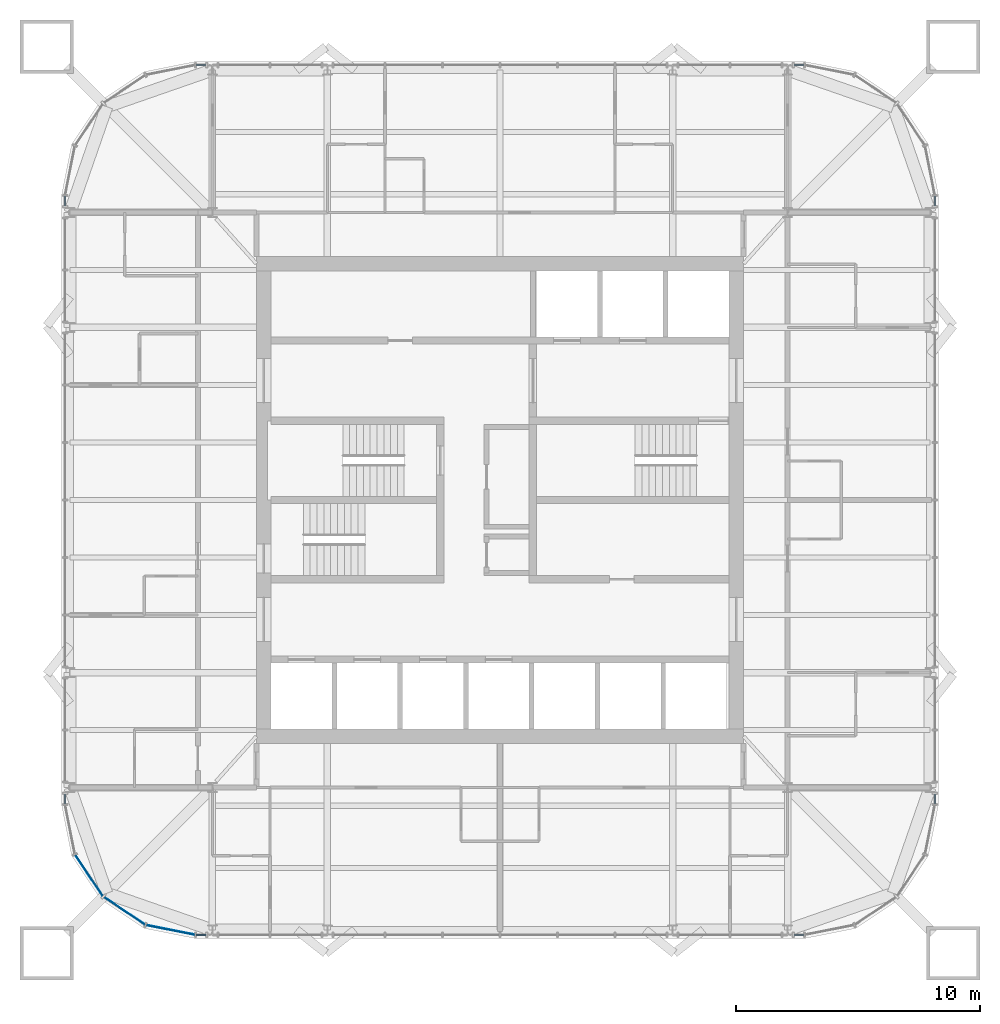
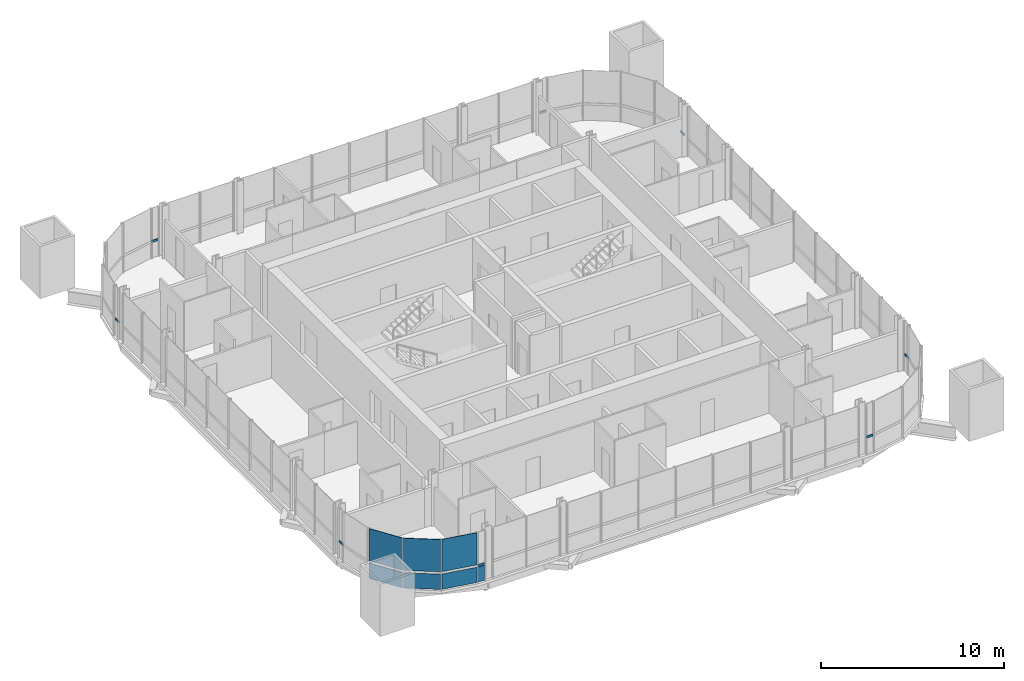
# One storey, part 7 of 17: 8 members, 7 plates, 9 elements without a shape of their own.
"""IFC4 building model written with IfcOpenShell, lengths in metres."""

import ifcopenshell
import ifcopenshell.guid

model = None  # the IFC model being written
_history = None  # IfcOwnerHistory: only IFC2X3 demands one
_inside = {}  # id of a spatial element -> (the spatial element, [elements in it])
_under = {}  # id of a project, library or spatial element -> (it, [spatial elements below it])
_declared = {}  # id of a project -> (the project, [libraries it declares])
_typed = {}  # id of a type object -> (the type object, [elements of that type])
_made_of = {}  # id of a material, layer set ... -> (it, [elements and type objects made of it])


def new_model(schema):
    """Start an empty IFC model of exactly this schema.

    Asked for "IFC4X3", IfcOpenShell would pick the latest addendum, in which some entities
    have other attributes; the version numbers below select the first issue.
    IFC2X3 requires an IfcOwnerHistory on every rooted entity: one is made here for all.
    """
    global model, _history
    if schema == "IFC4X3":
        model = ifcopenshell.file(schema_version=(4, 3, 0, 0))
    else:
        model = ifcopenshell.file(schema=schema)
    _inside.clear()
    _under.clear()
    _declared.clear()
    _typed.clear()
    _made_of.clear()
    _history = None
    if model.schema == "IFC2X3":
        org = make("IfcOrganization", Name="unknown")
        user = make(
            "IfcPersonAndOrganization",
            ThePerson=make("IfcPerson", FamilyName="unknown"),
            TheOrganization=org,
        )
        app = make(
            "IfcApplication",
            ApplicationDeveloper=org,
            Version="unknown",
            ApplicationFullName="unknown",
            ApplicationIdentifier="unknown",
        )
        _history = make(
            "IfcOwnerHistory",
            OwningUser=user,
            OwningApplication=app,
            ChangeAction="ADDED",
            CreationDate=0,
        )
    return model


def make(cls, **values):
    """One entity of the class cls with the attributes given. An attribute that is None is left unset."""
    return model.create_entity(
        cls, **{name: value for name, value in values.items() if value is not None}
    )


def rooted(cls, **values):
    """An entity with a GlobalId (a new one), such as an element, a storey or a relation."""
    return make(cls, GlobalId=ifcopenshell.guid.new(), OwnerHistory=_history, **values)


def si_unit(unit_type, name, prefix=None):
    """IfcSIUnit, for example si_unit("LENGTHUNIT", "METRE", prefix="MILLI")."""
    return make("IfcSIUnit", UnitType=unit_type, Prefix=prefix, Name=name)


def assignment(units):
    """IfcUnitAssignment: the units of a project."""
    return None if units is None else make("IfcUnitAssignment", Units=units)


def point(xyz):
    """IfcCartesianPoint."""
    return None if xyz is None else make("IfcCartesianPoint", Coordinates=xyz)


def direction(xyz):
    """IfcDirection."""
    return None if xyz is None else make("IfcDirection", DirectionRatios=xyz)


def frame(location, z_axis=None, x_axis=None):
    """IfcAxis2Placement3D, a coordinate frame: its origin and axes. An axis left out is left unset."""
    return make(
        "IfcAxis2Placement3D",
        Location=point(location),
        Axis=direction(z_axis),
        RefDirection=direction(x_axis),
    )


def frame_2d(location, x_axis=None):
    """IfcAxis2Placement2D, a coordinate frame in the plane: its origin and x axis."""
    return make(
        "IfcAxis2Placement2D", Location=point(location), RefDirection=direction(x_axis)
    )


def origin():
    """The frame at (0, 0, 0) with its axes left unset."""
    return frame((0.0, 0.0, 0.0))


def origin_2d():
    """The frame at (0, 0) in the plane with its x axis left unset."""
    return frame_2d((0.0, 0.0))


def place(relative_to, where):
    """IfcLocalPlacement: puts the frame where relative to a parent placement (None: the world)."""
    return make(
        "IfcLocalPlacement", PlacementRelTo=relative_to, RelativePlacement=where
    )


def context(
    kind, dimensions, precision=None, world=None, true_north=None, identifier=None
):
    """IfcGeometricRepresentationContext, for example the 3D "Model" context."""
    return make(
        "IfcGeometricRepresentationContext",
        ContextIdentifier=identifier,
        ContextType=kind,
        CoordinateSpaceDimension=dimensions,
        Precision=precision,
        WorldCoordinateSystem=world,
        TrueNorth=true_north,
    )


def subcontext(parent, identifier, kind, view, scale=None):
    """IfcGeometricRepresentationSubContext, for example "Body" below "Model"."""
    return make(
        "IfcGeometricRepresentationSubContext",
        ContextIdentifier=identifier,
        ContextType=kind,
        ParentContext=parent,
        TargetScale=scale,
        TargetView=view,
    )


def project(units=None, contexts=None):
    """IfcProject with its units and contexts."""
    return rooted(
        "IfcProject",
        Name="project",
        RepresentationContexts=contexts,
        UnitsInContext=assignment(units),
    )


def spatial(cls, under=None, at=None, **own):
    """A site, building, storey or space (cls), placed at a placement, below another one or the project."""
    s = rooted(cls, ObjectPlacement=at, **own)
    if under is not None:
        _under.setdefault(under.id(), (under, []))[1].append(s)
    return s


def profile(cls, at=None, kind="AREA", **sizes):
    """A parametric profile (cls). Its sizes go by their IFC names, for example OverallWidth=200.0."""
    return make(cls, ProfileType=kind, Position=at, **sizes)


def rectangle(**sizes):
    """IfcRectangleProfileDef."""
    return profile("IfcRectangleProfileDef", **sizes)


def extrude(swept, where, along, depth):
    """IfcExtrudedAreaSolid: the profile swept, set in the frame where, extruded along a direction by depth."""
    return make(
        "IfcExtrudedAreaSolid",
        SweptArea=swept,
        Position=where,
        ExtrudedDirection=direction(along),
        Depth=depth,
    )


def shape(context_of_items, identifier, shape_type, items):
    """IfcShapeRepresentation: the items that make up one representation, for example the "Body"."""
    return make(
        "IfcShapeRepresentation",
        ContextOfItems=context_of_items,
        RepresentationIdentifier=identifier,
        RepresentationType=shape_type,
        Items=items,
    )


def material(Name=None, Category=None):
    """IfcMaterial."""
    return make("IfcMaterial", Name=Name, Category=Category)


def layer(
    of_material, thickness, ventilated=None, Name=None, Category=None, Priority=None
):
    """IfcMaterialLayer: one layer of a wall or slab, of a material (None: an air gap)."""
    return make(
        "IfcMaterialLayer",
        Material=of_material,
        LayerThickness=thickness,
        IsVentilated=ventilated,
        Name=Name,
        Category=Category,
        Priority=Priority,
    )


def layer_set(layers, Name=None):
    """IfcMaterialLayerSet."""
    return make("IfcMaterialLayerSet", MaterialLayers=layers, LayerSetName=Name)


def material_profile(
    of_material, cross_section, Name=None, Category=None, Priority=None
):
    """IfcMaterialProfile: a cross section and its material."""
    return make(
        "IfcMaterialProfile",
        Name=Name,
        Material=of_material,
        Profile=cross_section,
        Priority=Priority,
        Category=Category,
    )


def profile_set(profiles, Name=None, composite=None):
    """IfcMaterialProfileSet."""
    return make(
        "IfcMaterialProfileSet",
        Name=Name,
        MaterialProfiles=profiles,
        CompositeProfile=composite,
    )


def made_of(thing, what):
    """Note that an element or type object is made of a material, layer set ...; save() writes the relation."""
    if what is not None:
        _made_of.setdefault(what.id(), (what, []))[1].append(thing)
    return thing


def type_object(cls, material=None, **own):
    """A type object (cls), such as IfcWallType, which elements share."""
    return made_of(rooted(cls, **own), material)


def element(
    cls,
    number,
    at=None,
    inside=None,
    cuts=None,
    type_object=None,
    material=None,
    context=None,
    identifier="Body",
    shape_type=None,
    held_by="IfcProductDefinitionShape",
    body=None,
    shapes=None,
    **own,
):
    """One element of the class cls, such as IfcWall. Its Tag is "e" and its number.

    at: its placement. inside: the storey or other place that contains it. cuts: it is an
    opening in that element (IfcRelVoidsElement). A single representation is given by context,
    identifier, shape_type and body (its items); several are given by shapes. held_by: the class
    of the entity that holds the representations. save() writes the other relations.
    """
    e = rooted(cls, Tag="e%d" % number, ObjectPlacement=at, **own)
    if body is not None:
        shapes = [shape(context, identifier, shape_type, body)]
    if shapes is not None:
        e.Representation = make(held_by, Representations=shapes)
    if inside is not None:
        _inside.setdefault(inside.id(), (inside, []))[1].append(e)
    if cuts is not None:
        rooted(
            "IfcRelVoidsElement", RelatingBuildingElement=cuts, RelatedOpeningElement=e
        )
    if type_object is not None:
        _typed.setdefault(type_object.id(), (type_object, []))[1].append(e)
    return made_of(e, material)


def aggregate(whole, parts):
    """IfcRelAggregates: a whole, such as a stair, and the parts it consists of."""
    return rooted("IfcRelAggregates", RelatingObject=whole, RelatedObjects=parts)


def save(model, path):
    """Write the relations noted so far, then the file.

    IfcRelAggregates (storeys below a building ...), IfcRelContainedInSpatialStructure (elements
    in a storey), IfcRelDefinesByType, IfcRelAssociatesMaterial and IfcRelDeclares: one each for
    every whole, place, type object, material and project.
    """
    for whole, parts in _under.values():
        aggregate(whole, parts)
    for where, things in _inside.values():
        rooted(
            "IfcRelContainedInSpatialStructure",
            RelatedElements=things,
            RelatingStructure=where,
        )
    for kind, things in _typed.values():
        rooted("IfcRelDefinesByType", RelatedObjects=things, RelatingType=kind)
    for what, things in _made_of.values():
        rooted("IfcRelAssociatesMaterial", RelatedObjects=things, RelatingMaterial=what)
    for by, libraries in _declared.values():
        rooted("IfcRelDeclares", RelatingContext=by, RelatedDefinitions=libraries)
    model.write(path)


model = new_model("IFC4")

# Units and contexts
model_context = context("Model", 3, precision=1e-05, world=origin(), true_north=direction((0.0, 1.0)))
body_context = subcontext(model_context, "Body", "Model", "MODEL_VIEW")
ifc_project = project(units=[si_unit("LENGTHUNIT", "METRE"), si_unit("AREAUNIT", "SQUARE_METRE"), si_unit("VOLUMEUNIT", "CUBIC_METRE"), si_unit("PLANEANGLEUNIT", "RADIAN"), si_unit("MASSUNIT", "GRAM", prefix="KILO")], contexts=[model_context])

# Site, building, storey
site_placement = place(None, origin())
site = spatial("IfcSite", under=ifc_project, at=site_placement, CompositionType="ELEMENT")
building_placement = place(site_placement, origin())
building = spatial("IfcBuilding", under=site, at=building_placement, Name="Turquesa Mirador Hotel Tower", CompositionType="ELEMENT")
storey_placement = place(building_placement, frame((0.0, 0.0, 240.699951171875)))
storey = spatial("IfcBuildingStorey", under=building, at=storey_placement, Name="L65", CompositionType="ELEMENT", Elevation=240.699951171875)

# Curtain wall, member
ifc_material_1 = material(Name="Aluminium extrusion", Category="aluminium")
curtain_wall_type = type_object("IfcCurtainWallType", Name="CW-4 SUITE FRITTED CURTAIN WALL", PredefinedType="USERDEFINED", material=ifc_material_1)
curtain_wall_1_placement = place(storey_placement, origin())
curtain_wall_1 = element("IfcCurtainWall", 1, at=curtain_wall_1_placement, inside=storey, type_object=curtain_wall_type, Name="CW-4 SUITE FRITTED CURTAIN WALL L65", ObjectType="CURTAIN WALL", PredefinedType="USERDEFINED")
ifc_material_2 = material(Name="Aluminium extrusion", Category="aluminium")
ifc_material_profile = material_profile(ifc_material_2, rectangle(XDim=0.06494140625, YDim=0.14990234375, at=origin_2d()), Name="TRANSOM 65X150")
ifc_profile_set = profile_set([ifc_material_profile], Name="Aluminium extrusion")
member_type = type_object("IfcMemberType", Name="CW TRANSOM 65X150", PredefinedType="USERDEFINED", material=ifc_profile_set)
member_1_placement = place(storey_placement, frame((72.85009765625, 32.532470703125, 1.10009765625), z_axis=(0.0, 1.0, 0.0), x_axis=(-1.0, 0.0, 0.0)))
member_1 = element("IfcMember", 2, at=member_1_placement, type_object=member_type, Name="Transom", ObjectType="TRANSOM", PredefinedType="USERDEFINED", context=body_context, shape_type="SweptSolid", body=[
    extrude(rectangle(XDim=0.06494140625, YDim=0.14990234375, at=origin_2d()), origin(), (0.0, 0.0, 1.0), 0.401123046875),
])
aggregate(curtain_wall_1, [member_1])

curtain_wall_2_placement = place(storey_placement, origin())
curtain_wall_2 = element("IfcCurtainWall", 3, at=curtain_wall_2_placement, inside=storey, type_object=curtain_wall_type, Name="CW-4 SUITE FRITTED CURTAIN WALL L65", ObjectType="CURTAIN WALL", PredefinedType="USERDEFINED")
member_2_placement = place(storey_placement, frame((72.85009765625, 57.06640625, 1.10009765625), z_axis=(0.0, 1.0, 0.0), x_axis=(-1.0, 0.0, 0.0)))
member_2 = element("IfcMember", 4, at=member_2_placement, type_object=member_type, Name="Transom", ObjectType="TRANSOM", PredefinedType="USERDEFINED", context=body_context, shape_type="SweptSolid", body=[
    extrude(rectangle(XDim=0.06494140625, YDim=0.14990234375, at=origin_2d()), origin(), (0.0, 0.0, 1.0), 0.401123046875),
])
aggregate(curtain_wall_2, [member_2])

curtain_wall_3_placement = place(storey_placement, origin())
curtain_wall_3 = element("IfcCurtainWall", 5, at=curtain_wall_3_placement, inside=storey, type_object=curtain_wall_type, Name="CW-4 SUITE FRITTED CURTAIN WALL L65", ObjectType="CURTAIN WALL", PredefinedType="USERDEFINED")
member_3_placement = place(storey_placement, frame((67.467529296875, 62.85009765625, 1.10009765625), z_axis=(-1.0, 0.0, 0.0), x_axis=(0.0, -1.0, 0.0)))
member_3 = element("IfcMember", 6, at=member_3_placement, type_object=member_type, Name="Transom", ObjectType="TRANSOM", PredefinedType="USERDEFINED", context=body_context, shape_type="SweptSolid", body=[
    extrude(rectangle(XDim=0.06494140625, YDim=0.14990234375, at=origin_2d()), origin(), (0.0, 0.0, 1.0), 0.401123046875),
])
aggregate(curtain_wall_3, [member_3])

curtain_wall_4_placement = place(storey_placement, origin())
curtain_wall_4 = element("IfcCurtainWall", 7, at=curtain_wall_4_placement, inside=storey, type_object=curtain_wall_type, Name="CW-4 SUITE FRITTED CURTAIN WALL L65", ObjectType="CURTAIN WALL", PredefinedType="USERDEFINED")
member_4_placement = place(storey_placement, frame((42.93359375, 62.85009765625, 1.10009765625), z_axis=(-1.0, 0.0, 0.0), x_axis=(0.0, -1.0, 0.0)))
member_4 = element("IfcMember", 8, at=member_4_placement, type_object=member_type, Name="Transom", ObjectType="TRANSOM", PredefinedType="USERDEFINED", context=body_context, shape_type="SweptSolid", body=[
    extrude(rectangle(XDim=0.06494140625, YDim=0.14990234375, at=origin_2d()), origin(), (0.0, 0.0, 1.0), 0.401123046875),
])
aggregate(curtain_wall_4, [member_4])

curtain_wall_5_placement = place(storey_placement, origin())
curtain_wall_5 = element("IfcCurtainWall", 9, at=curtain_wall_5_placement, inside=storey, type_object=curtain_wall_type, Name="CW-4 SUITE FRITTED CURTAIN WALL L65", ObjectType="CURTAIN WALL", PredefinedType="USERDEFINED")
member_5_placement = place(storey_placement, frame((37.14990234375, 57.467529296875, 1.10009765625), z_axis=(0.0, -1.0, 0.0), x_axis=(1.0, 0.0, 0.0)))
member_5 = element("IfcMember", 10, at=member_5_placement, type_object=member_type, Name="Transom", ObjectType="TRANSOM", PredefinedType="USERDEFINED", context=body_context, shape_type="SweptSolid", body=[
    extrude(rectangle(XDim=0.06494140625, YDim=0.14990234375, at=origin_2d()), origin(), (0.0, 0.0, 1.0), 0.401123046875),
])
aggregate(curtain_wall_5, [member_5])

curtain_wall_6_placement = place(storey_placement, origin())
curtain_wall_6 = element("IfcCurtainWall", 11, at=curtain_wall_6_placement, inside=storey, type_object=curtain_wall_type, Name="CW-4 SUITE FRITTED CURTAIN WALL L65", ObjectType="CURTAIN WALL", PredefinedType="USERDEFINED")
member_6_placement = place(storey_placement, frame((37.14990234375, 32.93359375, 1.10009765625), z_axis=(0.0, -1.0, 0.0), x_axis=(1.0, 0.0, 0.0)))
member_6 = element("IfcMember", 12, at=member_6_placement, type_object=member_type, Name="Transom", ObjectType="TRANSOM", PredefinedType="USERDEFINED", context=body_context, shape_type="SweptSolid", body=[
    extrude(rectangle(XDim=0.06494140625, YDim=0.14990234375, at=origin_2d()), origin(), (0.0, 0.0, 1.0), 0.401123046875),
])
aggregate(curtain_wall_6, [member_6])

curtain_wall_7_placement = place(storey_placement, origin())
curtain_wall_7 = element("IfcCurtainWall", 13, at=curtain_wall_7_placement, inside=storey, type_object=curtain_wall_type, Name="CW-4 SUITE FRITTED CURTAIN WALL L65", ObjectType="CURTAIN WALL", PredefinedType="USERDEFINED")
member_7_placement = place(storey_placement, frame((42.532470703125, 27.14990234375, 1.10009765625), z_axis=(1.0, 0.0, 0.0), x_axis=(0.0, 1.0, 0.0)))
member_7 = element("IfcMember", 14, at=member_7_placement, type_object=member_type, Name="Transom", ObjectType="TRANSOM", PredefinedType="USERDEFINED", context=body_context, shape_type="SweptSolid", body=[
    extrude(rectangle(XDim=0.06494140625, YDim=0.14990234375, at=origin_2d()), origin(), (0.0, 0.0, 1.0), 0.401123046875),
])

curtain_wall_8_placement = place(storey_placement, origin())
curtain_wall_8 = element("IfcCurtainWall", 15, at=curtain_wall_8_placement, inside=storey, type_object=curtain_wall_type, Name="CW-4 SUITE FRITTED CURTAIN WALL L65", ObjectType="CURTAIN WALL", PredefinedType="USERDEFINED")
member_8_placement = place(storey_placement, frame((67.06640625, 27.14990234375, 1.10009765625), z_axis=(1.0, 0.0, 0.0), x_axis=(0.0, 1.0, 0.0)))
member_8 = element("IfcMember", 16, at=member_8_placement, type_object=member_type, Name="Transom", ObjectType="TRANSOM", PredefinedType="USERDEFINED", context=body_context, shape_type="SweptSolid", body=[
    extrude(rectangle(XDim=0.06494140625, YDim=0.14990234375, at=origin_2d()), origin(), (0.0, 0.0, 1.0), 0.401123046875),
])
aggregate(curtain_wall_8, [member_8])

# Curtain wall, plates
curtain_wall_9_placement = place(storey_placement, origin())
curtain_wall_9 = element("IfcCurtainWall", 17, at=curtain_wall_9_placement, inside=storey, type_object=curtain_wall_type, Name="CW-4 SUITE FRITTED CURTAIN WALL L65", ObjectType="CURTAIN WALL", PredefinedType="USERDEFINED")
ifc_material_3 = material(Name="Ceramic-printed spandrel glass on an insulated back pan", Category="glass")
ifc_layer_1 = layer(ifc_material_3, 0.050048828125)
ifc_layer_set_1 = layer_set([ifc_layer_1], Name="CW PANEL SPANDREL CERAMIC")
plate_type_1 = type_object("IfcPlateType", Name="CW PANEL SPANDREL CERAMIC", PredefinedType="CURTAIN_PANEL", material=ifc_layer_set_1)
plate_1_placement = place(storey_placement, frame((38.13720703125, 29.584716796875, 0.0), z_axis=(0.0, 0.0, 1.0), x_axis=(0.555570141754, -0.831469673284, 0.0)))
plate_1 = element("IfcPlate", 18, at=plate_1_placement, type_object=plate_type_1, Name="Panel", PredefinedType="CURTAIN_PANEL", context=body_context, shape_type="SweptSolid", body=[
    extrude(rectangle(XDim=2.0224609375, YDim=0.050048828125, at=origin_2d()), origin(), (0.0, 0.0, 1.0), 1.02490234375),
])
plate_2_placement = place(storey_placement, frame((39.584716796875, 28.13720703125, 0.0), z_axis=(0.0, 0.0, 1.0), x_axis=(0.831469673284, -0.555570141754, 0.0)))
plate_2 = element("IfcPlate", 19, at=plate_2_placement, type_object=plate_type_1, Name="Panel", PredefinedType="CURTAIN_PANEL", context=body_context, shape_type="SweptSolid", body=[
    extrude(rectangle(XDim=2.0224609375, YDim=0.050048828125, at=origin_2d()), origin(), (0.0, 0.0, 1.0), 1.02490234375),
])
plate_3_placement = place(storey_placement, frame((41.476318359375, 27.353515625, 0.0), z_axis=(0.0, 0.0, 1.0), x_axis=(0.980785228048, -0.195090585221, 0.0)))
plate_3 = element("IfcPlate", 20, at=plate_3_placement, type_object=plate_type_1, Name="Panel", PredefinedType="CURTAIN_PANEL", context=body_context, shape_type="SweptSolid", body=[
    extrude(rectangle(XDim=2.0224609375, YDim=0.050048828125, at=origin_2d()), origin(), (0.0, 0.0, 1.0), 1.02490234375),
])

# Plate
plate_4_placement = place(storey_placement, frame((42.733154296875, 27.14990234375, 0.0), z_axis=(0.0, 0.0, 1.0), x_axis=(1.0, 0.0, 0.0)))
plate_4 = element("IfcPlate", 21, at=plate_4_placement, type_object=plate_type_1, Name="Panel", PredefinedType="CURTAIN_PANEL", context=body_context, shape_type="SweptSolid", body=[
    extrude(rectangle(XDim=0.401123046875, YDim=0.050048828125, at=origin_2d()), origin(), (0.0, 0.0, 1.0), 1.02490234375),
])

aggregate(curtain_wall_7, [member_7, plate_4])

ifc_material_4 = material(Name="Ceramic-fritted laminated glass", Category="glass")
ifc_layer_2 = layer(ifc_material_4, 0.031982421875)
ifc_layer_set_2 = layer_set([ifc_layer_2], Name="CW PANEL VISION FRITTED")
plate_type_2 = type_object("IfcPlateType", Name="CW PANEL VISION FRITTED", PredefinedType="CURTAIN_PANEL", material=ifc_layer_set_2)
plate_5_placement = place(storey_placement, frame((38.13720703125, 29.584716796875, 1.1748046875), z_axis=(0.0, 0.0, 1.0), x_axis=(0.555570141754, -0.831469673284, 0.0)))
plate_5 = element("IfcPlate", 22, at=plate_5_placement, type_object=plate_type_2, Name="Panel", PredefinedType="CURTAIN_PANEL", context=body_context, shape_type="SweptSolid", body=[
    extrude(rectangle(XDim=2.0224609375, YDim=0.031982421875, at=origin_2d()), origin(), (0.0, 0.0, 1.0), 2.155029296875),
])

plate_6_placement = place(storey_placement, frame((39.584716796875, 28.13720703125, 1.1748046875), z_axis=(0.0, 0.0, 1.0), x_axis=(0.831469673284, -0.555570141754, 0.0)))
plate_6 = element("IfcPlate", 23, at=plate_6_placement, type_object=plate_type_2, Name="Panel", PredefinedType="CURTAIN_PANEL", context=body_context, shape_type="SweptSolid", body=[
    extrude(rectangle(XDim=2.0224609375, YDim=0.031982421875, at=origin_2d()), origin(), (0.0, 0.0, 1.0), 2.155029296875),
])

plate_7_placement = place(storey_placement, frame((41.476318359375, 27.353515625, 1.1748046875), z_axis=(0.0, 0.0, 1.0), x_axis=(0.980785228048, -0.195090585221, 0.0)))
plate_7 = element("IfcPlate", 24, at=plate_7_placement, type_object=plate_type_2, Name="Panel", PredefinedType="CURTAIN_PANEL", context=body_context, shape_type="SweptSolid", body=[
    extrude(rectangle(XDim=2.0224609375, YDim=0.031982421875, at=origin_2d()), origin(), (0.0, 0.0, 1.0), 2.155029296875),
])

aggregate(curtain_wall_9, [plate_1, plate_5, plate_2, plate_6, plate_3, plate_7])

save(model, "model.ifc")
